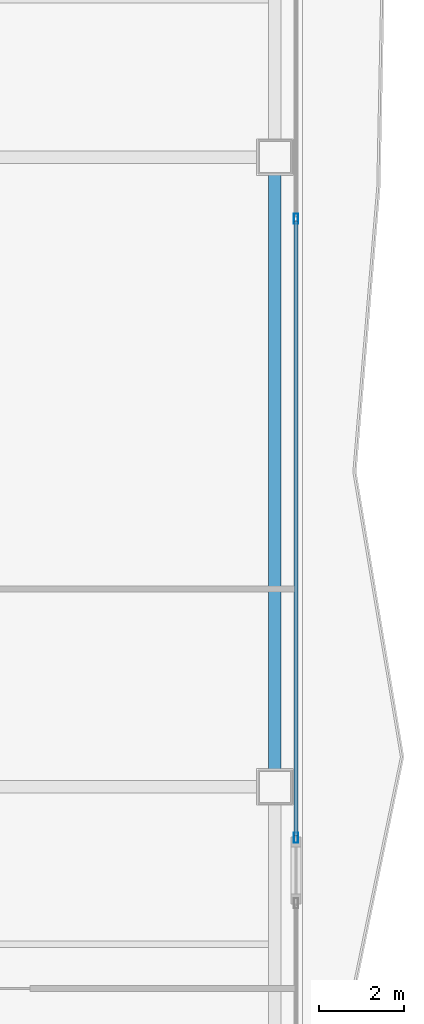
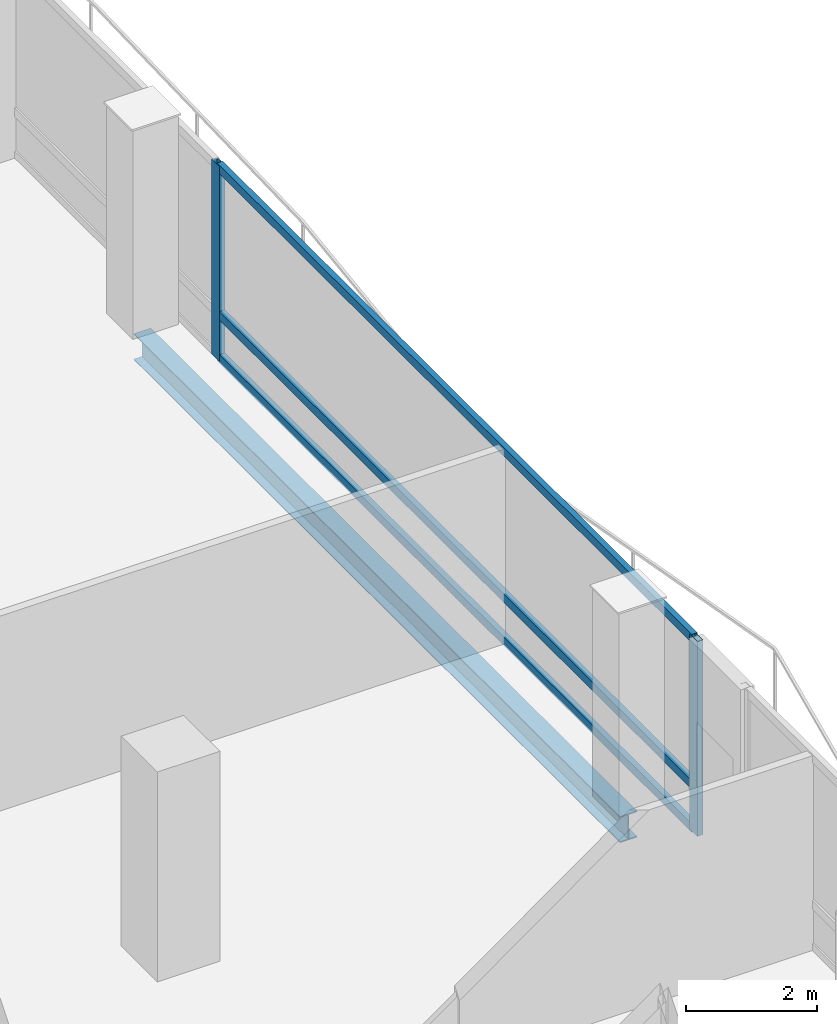
# One storey, part 12 of 27: 5 members, 1 beam, 1 element without a shape of its own.
"""IFC4 building model written with IfcOpenShell, lengths in metres."""

from ifc_helpers import new_model, si_unit, direction, frame, origin, origin_2d, place, context, subcontext, project, spatial, hollow_rectangle, i_section, extrude, material, layer, layer_set, material_profile, profile_set, type_object, element, aggregate, save


model = new_model("IFC4")

# Units and contexts
model_context = context("Model", 3, precision=1e-05, world=origin(), true_north=direction((0.0, 1.0)))
body_context = subcontext(model_context, "Body", "Model", "MODEL_VIEW")
ifc_project = project(units=[si_unit("LENGTHUNIT", "METRE"), si_unit("AREAUNIT", "SQUARE_METRE"), si_unit("VOLUMEUNIT", "CUBIC_METRE"), si_unit("PLANEANGLEUNIT", "RADIAN"), si_unit("MASSUNIT", "GRAM", prefix="KILO")], contexts=[model_context])

# Site, building, storey
site_placement = place(None, origin())
site = spatial("IfcSite", under=ifc_project, at=site_placement, CompositionType="ELEMENT")
building_placement = place(site_placement, origin())
building = spatial("IfcBuilding", under=site, at=building_placement, Name="Khorvyn Point Tower", CompositionType="ELEMENT")
storey_placement = place(building_placement, frame((0.0, 0.0, 50.10009765625)))
storey = spatial("IfcBuildingStorey", under=building, at=storey_placement, Name="L13", CompositionType="ELEMENT", Elevation=50.10009765625)

# Curtain wall, members
ifc_material_1 = material(Name="Anodised aluminium 6063-T6 and laminated Low-E glass", Category="aluminium")
ifc_layer = layer(ifc_material_1, 0.18994140625)
ifc_layer_set = layer_set([ifc_layer], Name="Stick-Built Finned Residential Curtain Wall CW-SYS-02")
curtain_wall_type = type_object("IfcCurtainWallType", Name="Stick-Built Finned Residential Curtain Wall CW-SYS-02", PredefinedType="NOTDEFINED", material=ifc_layer_set)
curtain_wall_placement = place(storey_placement, origin())
curtain_wall = element("IfcCurtainWall", 1, at=curtain_wall_placement, inside=storey, type_object=curtain_wall_type, Name="Curtain Wall", PredefinedType="NOTDEFINED")
ifc_material_2 = material(Name="Anodised aluminium 6063-T6", Category="aluminium")
ifc_material_profile_1 = material_profile(ifc_material_2, hollow_rectangle(XDim=0.10009765625, YDim=0.239990234375, WallThickness=0.0048828125, at=origin_2d()))
ifc_profile_set_1 = profile_set([ifc_material_profile_1], Name="Anodised aluminium 6063-T6 ALU-MUL-100x240")
member_type_1 = type_object("IfcMemberType", Name="Anodised Aluminium 6063-T6 Mullion ALU-MUL-100x240", PredefinedType="MULLION", material=ifc_profile_set_1)
member_1_placement = place(storey_placement, frame((27.949951171875, 5.951416015625, 0.0), z_axis=(0.0, 0.0, 1.0), x_axis=(1.0, 0.0, 0.0)))
member_1 = element("IfcMember", 2, at=member_1_placement, type_object=member_type_1, Name="Transom", PredefinedType="MULLION", context=body_context, shape_type="SweptSolid", body=[
    extrude(hollow_rectangle(XDim=0.10009765625, YDim=0.239990234375, WallThickness=0.0048828125, at=origin_2d()), origin(), (0.0, 0.0, 1.0), 3.619873046875),
])
member_2_placement = place(storey_placement, frame((27.949951171875, -8.596923828125, 0.0), z_axis=(0.0, 0.0, 1.0), x_axis=(1.0, 0.0, 0.0)))
member_2 = element("IfcMember", 3, at=member_2_placement, type_object=member_type_1, Name="Transom", PredefinedType="MULLION", context=body_context, shape_type="SweptSolid", body=[
    extrude(hollow_rectangle(XDim=0.10009765625, YDim=0.239990234375, WallThickness=0.0048828125, at=origin_2d()), origin(), (0.0, 0.0, 1.0), 3.619873046875),
])
ifc_material_profile_2 = material_profile(ifc_material_2, hollow_rectangle(XDim=0.10009765625, YDim=0.159912109375, WallThickness=0.00439453125, at=origin_2d()))
ifc_profile_set_2 = profile_set([ifc_material_profile_2], Name="Anodised aluminium 6063-T6 ALU-TRN-100x160")
member_type_2 = type_object("IfcMemberType", Name="Anodised Aluminium 6063-T6 Transom ALU-TRN-100x160", PredefinedType="USERDEFINED", material=ifc_profile_set_2)
member_3_placement = place(storey_placement, frame((27.949951171875, 5.901611328125, 0.0498046875), z_axis=(0.0, -1.0, 0.0), x_axis=(1.0, 0.0, 0.0)))
member_3 = element("IfcMember", 4, at=member_3_placement, type_object=member_type_2, Name="Transom", ObjectType="TRANSOM", PredefinedType="USERDEFINED", context=body_context, shape_type="SweptSolid", body=[
    extrude(hollow_rectangle(XDim=0.10009765625, YDim=0.159912109375, WallThickness=0.00439453125, at=origin_2d()), origin(), (0.0, 0.0, 1.0), 14.44873046875),
])
member_4_placement = place(storey_placement, frame((27.949951171875, 5.901611328125, 0.849853515625), z_axis=(0.0, -1.0, 0.0), x_axis=(1.0, 0.0, 0.0)))
member_4 = element("IfcMember", 5, at=member_4_placement, type_object=member_type_2, Name="Transom", ObjectType="TRANSOM", PredefinedType="USERDEFINED", context=body_context, shape_type="SweptSolid", body=[
    extrude(hollow_rectangle(XDim=0.10009765625, YDim=0.159912109375, WallThickness=0.00439453125, at=origin_2d()), origin(), (0.0, 0.0, 1.0), 14.44873046875),
])
member_5_placement = place(storey_placement, frame((27.949951171875, 5.901611328125, 3.56982421875), z_axis=(0.0, -1.0, 0.0), x_axis=(1.0, 0.0, 0.0)))
member_5 = element("IfcMember", 6, at=member_5_placement, type_object=member_type_2, Name="Transom", ObjectType="TRANSOM", PredefinedType="USERDEFINED", context=body_context, shape_type="SweptSolid", body=[
    extrude(hollow_rectangle(XDim=0.10009765625, YDim=0.159912109375, WallThickness=0.00439453125, at=origin_2d()), origin(), (0.0, 0.0, 1.0), 14.44873046875),
])
aggregate(curtain_wall, [member_1, member_2, member_3, member_4, member_5])

# Beam
ifc_material_3 = material(Name="Steel S355", Category="steel")
ifc_material_profile_3 = material_profile(ifc_material_3, i_section(OverallWidth=0.300048828125, OverallDepth=0.488037109375, WebThickness=0.010986328125, FlangeThickness=0.01806640625, at=origin_2d()))
ifc_profile_set_3 = profile_set([ifc_material_profile_3], Name="Steel S355 H488x300x11x18")
beam_type = type_object("IfcBeamType", Name="Steel S355 Spandrel H488x300x11x18", PredefinedType="SPANDREL", material=ifc_profile_set_3)
beam_placement = place(storey_placement, frame((27.449951171875, -7.39990234375, -0.464111328125), z_axis=(0.0, 1.0, 0.0), x_axis=(-1.0, 0.0, 0.0)))
element("IfcBeam", 7, at=beam_placement, inside=storey, type_object=beam_type, Name="Beam", PredefinedType="SPANDREL", context=body_context, shape_type="SweptSolid", body=[
    extrude(i_section(OverallWidth=0.300048828125, OverallDepth=0.488037109375, WebThickness=0.010986328125, FlangeThickness=0.01806640625, at=origin_2d()), origin(), (0.0, 0.0, 1.0), 14.7998046875),
])

save(model, "model.ifc")
